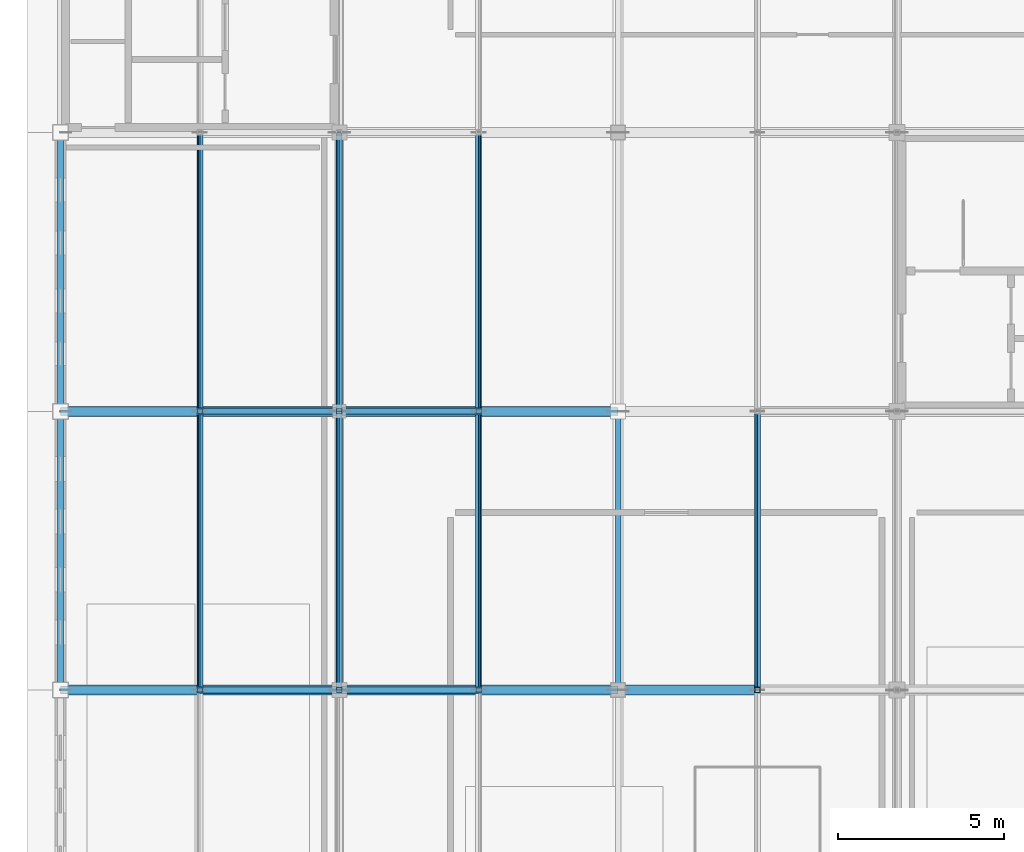
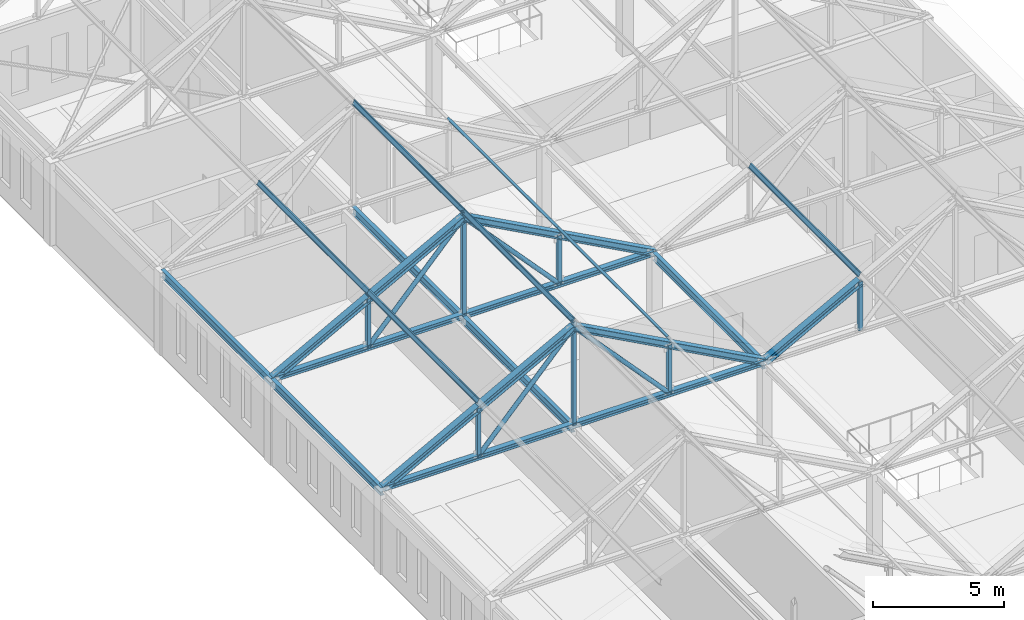
# One storey, part 9 of 36: 29 members, 5 beams.
"""IFC4 building model written with IfcOpenShell, lengths in metres."""

from ifc_helpers import new_model, si_unit, direction, frame, origin, origin_2d, place, context, subcontext, project, spatial, hollow_rectangle, hollow_circle, i_section, extrude, material, material_profile, profile_set, type_object, element, save


model = new_model("IFC4")

# Units and contexts
model_context = context("Model", 3, precision=1e-05, world=origin(), true_north=direction((0.0, 1.0)))
body_context = subcontext(model_context, "Body", "Model", "MODEL_VIEW")
ifc_project = project(units=[si_unit("LENGTHUNIT", "METRE"), si_unit("AREAUNIT", "SQUARE_METRE"), si_unit("VOLUMEUNIT", "CUBIC_METRE"), si_unit("PLANEANGLEUNIT", "RADIAN"), si_unit("MASSUNIT", "GRAM", prefix="KILO")], contexts=[model_context])

# Site, building, storey
site_placement = place(None, origin())
site = spatial("IfcSite", under=ifc_project, at=site_placement, CompositionType="ELEMENT")
building_placement = place(site_placement, origin())
building = spatial("IfcBuilding", under=site, at=building_placement, Name="Kveldsbrygga Polytechnic", CompositionType="ELEMENT")
storey_placement = place(building_placement, frame((0.0, 0.0, 26.179931640625)))
storey = spatial("IfcBuildingStorey", under=building, at=storey_placement, Name="L06", CompositionType="ELEMENT", Elevation=26.179931640625)

# Beams
ifc_material = material(Name="Steel S355", Category="steel")
ifc_material_profile_1 = material_profile(ifc_material, i_section(OverallWidth=0.169921875, OverallDepth=0.360107421875, WebThickness=0.008056640625, FlangeThickness=0.0126953125, FilletRadius=0.01806640625, at=origin_2d()), Name="IPE 360")
ifc_profile_set_1 = profile_set([ifc_material_profile_1], Name="Steel S355")
beam_type = type_object("IfcBeamType", Name="BM-STL-IPE360", PredefinedType="BEAM", material=ifc_profile_set_1)
beam_1_placement = place(storey_placement, frame((126.0, 67.199951171875, 3.66015625), z_axis=(0.0, 1.0, 0.0), x_axis=(-1.0, 0.0, 0.0)))
element("IfcBeam", 1, at=beam_1_placement, inside=storey, type_object=beam_type, Name="Attic Eaves Tie Beam BMY-L06-TOP-15-08", PredefinedType="BEAM", context=body_context, shape_type="SweptSolid", body=[
    extrude(i_section(OverallWidth=0.169921875, OverallDepth=0.360107421875, WebThickness=0.008056640625, FlangeThickness=0.0126953125, FilletRadius=0.01806640625, at=origin_2d()), origin(), (0.0, 0.0, 1.0), 8.400146484375),
])
beam_2_placement = place(storey_placement, frame((126.0, 75.60009765625, 3.66015625), z_axis=(0.0, 1.0, 0.0), x_axis=(-1.0, 0.0, 0.0)))
element("IfcBeam", 2, at=beam_2_placement, inside=storey, type_object=beam_type, Name="Attic Eaves Tie Beam BMY-L06-TOP-15-09", PredefinedType="BEAM", context=body_context, shape_type="SweptSolid", body=[
    extrude(i_section(OverallWidth=0.169921875, OverallDepth=0.360107421875, WebThickness=0.008056640625, FlangeThickness=0.0126953125, FilletRadius=0.01806640625, at=origin_2d()), origin(), (0.0, 0.0, 1.0), 8.39990234375),
])
beam_3_placement = place(storey_placement, frame((134.39990234375, 67.199951171875, 3.66015625), z_axis=(0.0, 1.0, 0.0), x_axis=(-1.0, 0.0, 0.0)))
element("IfcBeam", 3, at=beam_3_placement, inside=storey, type_object=beam_type, Name="Attic Eaves Tie Beam BMY-L06-TOP-16-08", PredefinedType="BEAM", context=body_context, shape_type="SweptSolid", body=[
    extrude(i_section(OverallWidth=0.169921875, OverallDepth=0.360107421875, WebThickness=0.008056640625, FlangeThickness=0.0126953125, FilletRadius=0.01806640625, at=origin_2d()), origin(), (0.0, 0.0, 1.0), 8.400146484375),
])
beam_4_placement = place(storey_placement, frame((134.39990234375, 75.60009765625, 3.66015625), z_axis=(0.0, 1.0, 0.0), x_axis=(-1.0, 0.0, 0.0)))
element("IfcBeam", 4, at=beam_4_placement, inside=storey, type_object=beam_type, Name="Attic Eaves Tie Beam BMY-L06-TOP-16-09", PredefinedType="BEAM", context=body_context, shape_type="SweptSolid", body=[
    extrude(i_section(OverallWidth=0.169921875, OverallDepth=0.360107421875, WebThickness=0.008056640625, FlangeThickness=0.0126953125, FilletRadius=0.01806640625, at=origin_2d()), origin(), (0.0, 0.0, 1.0), 8.39990234375),
])
beam_5_placement = place(storey_placement, frame((142.800048828125, 67.199951171875, 3.66015625), z_axis=(0.0, 1.0, 0.0), x_axis=(-1.0, 0.0, 0.0)))
element("IfcBeam", 5, at=beam_5_placement, inside=storey, type_object=beam_type, Name="Attic Eaves Tie Beam BMY-L06-TOP-17-08", PredefinedType="BEAM", context=body_context, shape_type="SweptSolid", body=[
    extrude(i_section(OverallWidth=0.169921875, OverallDepth=0.360107421875, WebThickness=0.008056640625, FlangeThickness=0.0126953125, FilletRadius=0.01806640625, at=origin_2d()), origin(), (0.0, 0.0, 1.0), 8.400146484375),
])

# Members
ifc_material_profile_2 = material_profile(ifc_material, i_section(OverallWidth=0.10009765625, OverallDepth=0.199951171875, WebThickness=0.005615234375, FlangeThickness=0.008544921875, FilletRadius=0.011962890625, at=origin_2d()), Name="IPE 200")
ifc_profile_set_2 = profile_set([ifc_material_profile_2], Name="Steel S355")
member_type_1 = type_object("IfcMemberType", Name="PRL-IPE200", PredefinedType="PURLIN", material=ifc_profile_set_2)
for number, where, z_axis, x_axis, name in (
    (6, (130.199951171875, 67.199951171875, 6.393798828125), (0.0, 1.0, 0.0), (-0.879292204483, 0.0, 0.476282709256), "Roof Purlin V4M1-PRL-7-1"),
    (7, (134.39990234375, 67.199951171875, 8.668701171875), (0.0, 1.0, 0.0), (-0.879292204483, 0.0, 0.476282709256), "Roof Purlin V4M1-PRL-7-2"),
    (8, (138.60009765625, 67.199951171875, 6.393798828125), (0.0, 1.0, 0.0), (-0.879292204483, 0.0, -0.476282709256), "Roof Purlin V4M1-PRL-7-3"),
):
    element("IfcMember", number, at=place(storey_placement, frame(where, z_axis=z_axis, x_axis=x_axis)), inside=storey, type_object=member_type_1, Name=name, PredefinedType="PURLIN", context=body_context, shape_type="SweptSolid", body=[
        extrude(i_section(OverallWidth=0.10009765625, OverallDepth=0.199951171875, WebThickness=0.005615234375, FlangeThickness=0.008544921875, FilletRadius=0.011962890625, at=origin_2d()), origin(), (0.0, 0.0, 1.0), 8.400146484375),
    ])
for number, where, z_axis, x_axis, name in (
    (9, (130.199951171875, 75.60009765625, 6.393798828125), (0.0, 1.0, 0.0), (-0.879292204483, 0.0, 0.476282709256), "Roof Purlin V4M1-PRL-8-1"),
    (10, (134.39990234375, 75.60009765625, 8.668701171875), (0.0, 1.0, 0.0), (-0.879292204483, 0.0, 0.476282709256), "Roof Purlin V4M1-PRL-8-2"),
    (11, (138.60009765625, 75.60009765625, 6.393798828125), (0.0, 1.0, 0.0), (-0.879292204483, 0.0, -0.476282709256), "Roof Purlin V4M1-PRL-8-3"),
):
    element("IfcMember", number, at=place(storey_placement, frame(where, z_axis=z_axis, x_axis=x_axis)), inside=storey, type_object=member_type_1, Name=name, PredefinedType="PURLIN", context=body_context, shape_type="SweptSolid", body=[
        extrude(i_section(OverallWidth=0.10009765625, OverallDepth=0.199951171875, WebThickness=0.005615234375, FlangeThickness=0.008544921875, FilletRadius=0.011962890625, at=origin_2d()), origin(), (0.0, 0.0, 1.0), 8.39990234375),
    ])
member_1_placement = place(storey_placement, frame((147.0, 67.199951171875, 6.393798828125), z_axis=(0.0, 1.0, 0.0), x_axis=(-0.879292204483, 0.0, 0.476282709256)))
element("IfcMember", 12, at=member_1_placement, inside=storey, type_object=member_type_1, Name="Roof Purlin V4M2-PRL-7-1", PredefinedType="PURLIN", context=body_context, shape_type="SweptSolid", body=[
    extrude(i_section(OverallWidth=0.10009765625, OverallDepth=0.199951171875, WebThickness=0.005615234375, FlangeThickness=0.008544921875, FilletRadius=0.011962890625, at=origin_2d()), origin(), (0.0, 0.0, 1.0), 8.400146484375),
])
ifc_material_profile_3 = material_profile(ifc_material, i_section(OverallWidth=0.239990234375, OverallDepth=0.22998046875, WebThickness=0.007568359375, FlangeThickness=0.011962890625, FilletRadius=0.02099609375, at=origin_2d()), Name="HEA 240")
ifc_profile_set_3 = profile_set([ifc_material_profile_3], Name="Steel S355")
member_type_2 = type_object("IfcMemberType", Name="TR-BOT-HEA240", PredefinedType="CHORD", material=ifc_profile_set_3)
for number, where, z_axis, x_axis, name in (
    (13, (126.0, 67.199951171875, 3.840087890625), (1.0, 0.0, 0.0), (0.0, 1.0, 0.0), "Truss Bottom Chord V4M1-T07-BC-1"),
    (14, (126.0, 75.60009765625, 3.840087890625), (1.0, 0.0, 0.0), (0.0, 1.0, 0.0), "Truss Bottom Chord V4M1-T08-BC-1"),
):
    element("IfcMember", number, at=place(storey_placement, frame(where, z_axis=z_axis, x_axis=x_axis)), inside=storey, type_object=member_type_2, Name=name, PredefinedType="CHORD", context=body_context, shape_type="SweptSolid", body=[
        extrude(i_section(OverallWidth=0.239990234375, OverallDepth=0.22998046875, WebThickness=0.007568359375, FlangeThickness=0.011962890625, FilletRadius=0.02099609375, at=origin_2d()), origin(), (0.0, 0.0, 1.0), 16.800048828125),
    ])
ifc_material_profile_4 = material_profile(ifc_material, hollow_circle(Radius=0.096923828125, WallThickness=0.010009765625, at=origin_2d()), Name="CHS 193.7x10.0")
ifc_profile_set_4 = profile_set([ifc_material_profile_4], Name="Steel S355")
member_type_3 = type_object("IfcMemberType", Name="TR-DIAG-CHS194", PredefinedType="BRACE", material=ifc_profile_set_4)
member_2_placement = place(storey_placement, frame((130.199951171875, 67.199951171875, 3.840087890625), z_axis=(0.678271914864, 0.0, 0.734811002576), x_axis=(0.0, 1.0, 0.0)))
element("IfcMember", 15, at=member_2_placement, inside=storey, type_object=member_type_3, Name="Truss Diagonal V4M1-T07-DG-2", PredefinedType="BRACE", context=body_context, shape_type="SweptSolid", body=[
    extrude(hollow_circle(Radius=0.096923828125, WallThickness=0.010009765625, at=origin_2d()), origin(), (0.0, 0.0, 1.0), 6.192138671875),
])
member_3_placement = place(storey_placement, frame((134.39990234375, 67.199951171875, 8.39013671875), z_axis=(0.678293202798, 0.0, -0.734791352043), x_axis=(0.0, 1.0, 0.0)))
element("IfcMember", 16, at=member_3_placement, inside=storey, type_object=member_type_3, Name="Truss Diagonal V4M1-T07-DG-3", PredefinedType="BRACE", context=body_context, shape_type="SweptSolid", body=[
    extrude(hollow_circle(Radius=0.096923828125, WallThickness=0.010009765625, at=origin_2d()), origin(), (0.0, 0.0, 1.0), 6.1923828125),
])
member_4_placement = place(storey_placement, frame((130.199951171875, 75.60009765625, 3.840087890625), z_axis=(0.678271914864, 0.0, 0.734811002576), x_axis=(0.0, 1.0, 0.0)))
element("IfcMember", 17, at=member_4_placement, inside=storey, type_object=member_type_3, Name="Truss Diagonal V4M1-T08-DG-2", PredefinedType="BRACE", context=body_context, shape_type="SweptSolid", body=[
    extrude(hollow_circle(Radius=0.096923828125, WallThickness=0.010009765625, at=origin_2d()), origin(), (0.0, 0.0, 1.0), 6.192138671875),
])
member_5_placement = place(storey_placement, frame((134.39990234375, 75.60009765625, 8.39013671875), z_axis=(0.678293202798, 0.0, -0.734791352043), x_axis=(0.0, 1.0, 0.0)))
element("IfcMember", 18, at=member_5_placement, inside=storey, type_object=member_type_3, Name="Truss Diagonal V4M1-T08-DG-3", PredefinedType="BRACE", context=body_context, shape_type="SweptSolid", body=[
    extrude(hollow_circle(Radius=0.096923828125, WallThickness=0.010009765625, at=origin_2d()), origin(), (0.0, 0.0, 1.0), 6.1923828125),
])
ifc_material_profile_5 = material_profile(ifc_material, hollow_rectangle(XDim=0.159912109375, YDim=0.159912109375, WallThickness=0.010009765625, at=origin_2d()), Name="SHS 160x160x10.0")
ifc_profile_set_5 = profile_set([ifc_material_profile_5], Name="Steel S355")
member_type_4 = type_object("IfcMemberType", Name="TR-POST-SHS160", PredefinedType="STRUT", material=ifc_profile_set_5)
member_6_placement = place(storey_placement, frame((130.199951171875, 67.199951171875, 3.840087890625), z_axis=(0.0, 0.0, 1.0), x_axis=(1.0, 0.0, 0.0)))
element("IfcMember", 19, at=member_6_placement, inside=storey, type_object=member_type_4, Name="Truss Vertical V4M1-T07-VT-1", PredefinedType="STRUT", context=body_context, shape_type="SweptSolid", body=[
    extrude(hollow_rectangle(XDim=0.159912109375, YDim=0.159912109375, WallThickness=0.010009765625, at=origin_2d()), origin(), (0.0, 0.0, 1.0), 2.27490234375),
])
member_7_placement = place(storey_placement, frame((134.39990234375, 67.199951171875, 3.840087890625), z_axis=(0.0, 0.0, 1.0), x_axis=(1.0, 0.0, 0.0)))
element("IfcMember", 20, at=member_7_placement, inside=storey, type_object=member_type_4, Name="Truss Vertical V4M1-T07-VT-2", PredefinedType="STRUT", context=body_context, shape_type="SweptSolid", body=[
    extrude(hollow_rectangle(XDim=0.159912109375, YDim=0.159912109375, WallThickness=0.010009765625, at=origin_2d()), origin(), (0.0, 0.0, 1.0), 4.82861328125),
])
for number, where, z_axis, x_axis, name in (
    (21, (138.60009765625, 67.199951171875, 3.840087890625), (0.0, 0.0, 1.0), (1.0, 0.0, 0.0), "Truss Vertical V4M1-T07-VT-3"),
    (22, (130.199951171875, 75.60009765625, 3.840087890625), (0.0, 0.0, 1.0), (1.0, 0.0, 0.0), "Truss Vertical V4M1-T08-VT-1"),
):
    element("IfcMember", number, at=place(storey_placement, frame(where, z_axis=z_axis, x_axis=x_axis)), inside=storey, type_object=member_type_4, Name=name, PredefinedType="STRUT", context=body_context, shape_type="SweptSolid", body=[
        extrude(hollow_rectangle(XDim=0.159912109375, YDim=0.159912109375, WallThickness=0.010009765625, at=origin_2d()), origin(), (0.0, 0.0, 1.0), 2.27490234375),
    ])
member_8_placement = place(storey_placement, frame((134.39990234375, 75.60009765625, 3.840087890625), z_axis=(0.0, 0.0, 1.0), x_axis=(1.0, 0.0, 0.0)))
element("IfcMember", 23, at=member_8_placement, inside=storey, type_object=member_type_4, Name="Truss Vertical V4M1-T08-VT-2", PredefinedType="STRUT", context=body_context, shape_type="SweptSolid", body=[
    extrude(hollow_rectangle(XDim=0.159912109375, YDim=0.159912109375, WallThickness=0.010009765625, at=origin_2d()), origin(), (0.0, 0.0, 1.0), 4.82861328125),
])
for number, where, z_axis, x_axis, name in (
    (24, (138.60009765625, 75.60009765625, 3.840087890625), (0.0, 0.0, 1.0), (1.0, 0.0, 0.0), "Truss Vertical V4M1-T08-VT-3"),
    (25, (147.0, 67.199951171875, 3.840087890625), (0.0, 0.0, 1.0), (1.0, 0.0, 0.0), "Truss Vertical V4M2-T07-VT-1"),
):
    element("IfcMember", number, at=place(storey_placement, frame(where, z_axis=z_axis, x_axis=x_axis)), inside=storey, type_object=member_type_4, Name=name, PredefinedType="STRUT", context=body_context, shape_type="SweptSolid", body=[
        extrude(hollow_rectangle(XDim=0.159912109375, YDim=0.159912109375, WallThickness=0.010009765625, at=origin_2d()), origin(), (0.0, 0.0, 1.0), 2.27490234375),
    ])
ifc_material_profile_6 = material_profile(ifc_material, i_section(OverallWidth=0.300048828125, OverallDepth=0.2900390625, WebThickness=0.008544921875, FlangeThickness=0.013916015625, FilletRadius=0.027099609375, at=origin_2d()), Name="HEA 300")
ifc_profile_set_6 = profile_set([ifc_material_profile_6], Name="Steel S355")
member_type_5 = type_object("IfcMemberType", Name="TR-TOP-HEA300", PredefinedType="CHORD", material=ifc_profile_set_6)
member_9_placement = place(storey_placement, frame((126.0, 67.199951171875, 3.840087890625), z_axis=(0.879298209803, 0.0, 0.47627162233), x_axis=(0.0, 1.0, 0.0)))
element("IfcMember", 26, at=member_9_placement, inside=storey, type_object=member_type_5, Name="Truss Top Chord V4M1-T07-TC-1", PredefinedType="CHORD", context=body_context, shape_type="SweptSolid", body=[
    extrude(i_section(OverallWidth=0.300048828125, OverallDepth=0.2900390625, WebThickness=0.008544921875, FlangeThickness=0.013916015625, FilletRadius=0.027099609375, at=origin_2d()), origin(), (0.0, 0.0, 1.0), 4.7763671875),
])
member_10_placement = place(storey_placement, frame((130.199951171875, 67.199951171875, 6.114990234375), z_axis=(0.879276804059, 0.0, 0.476311139744), x_axis=(0.0, 1.0, 0.0)))
element("IfcMember", 27, at=member_10_placement, inside=storey, type_object=member_type_5, Name="Truss Top Chord V4M1-T07-TC-2", PredefinedType="CHORD", context=body_context, shape_type="SweptSolid", body=[
    extrude(i_section(OverallWidth=0.300048828125, OverallDepth=0.2900390625, WebThickness=0.008544921875, FlangeThickness=0.013916015625, FilletRadius=0.027099609375, at=origin_2d()), origin(), (0.0, 0.0, 1.0), 4.776611328125),
])
member_11_placement = place(storey_placement, frame((134.39990234375, 67.199951171875, 8.39013671875), z_axis=(0.879288399135, 0.0, -0.476289734454), x_axis=(0.0, 1.0, 0.0)))
element("IfcMember", 28, at=member_11_placement, inside=storey, type_object=member_type_5, Name="Truss Top Chord V4M1-T07-TC-3", PredefinedType="CHORD", context=body_context, shape_type="SweptSolid", body=[
    extrude(i_section(OverallWidth=0.300048828125, OverallDepth=0.2900390625, WebThickness=0.008544921875, FlangeThickness=0.013916015625, FilletRadius=0.027099609375, at=origin_2d()), origin(), (0.0, 0.0, 1.0), 4.77685546875),
])
for number, where, z_axis, x_axis, name in (
    (29, (138.60009765625, 67.199951171875, 6.114990234375), (0.879298209803, 0.0, -0.47627162233), (0.0, 1.0, 0.0), "Truss Top Chord V4M1-T07-TC-4"),
    (30, (126.0, 75.60009765625, 3.840087890625), (0.879298209803, 0.0, 0.47627162233), (0.0, 1.0, 0.0), "Truss Top Chord V4M1-T08-TC-1"),
):
    element("IfcMember", number, at=place(storey_placement, frame(where, z_axis=z_axis, x_axis=x_axis)), inside=storey, type_object=member_type_5, Name=name, PredefinedType="CHORD", context=body_context, shape_type="SweptSolid", body=[
        extrude(i_section(OverallWidth=0.300048828125, OverallDepth=0.2900390625, WebThickness=0.008544921875, FlangeThickness=0.013916015625, FilletRadius=0.027099609375, at=origin_2d()), origin(), (0.0, 0.0, 1.0), 4.7763671875),
    ])
member_12_placement = place(storey_placement, frame((130.199951171875, 75.60009765625, 6.114990234375), z_axis=(0.879276804059, 0.0, 0.476311139744), x_axis=(0.0, 1.0, 0.0)))
element("IfcMember", 31, at=member_12_placement, inside=storey, type_object=member_type_5, Name="Truss Top Chord V4M1-T08-TC-2", PredefinedType="CHORD", context=body_context, shape_type="SweptSolid", body=[
    extrude(i_section(OverallWidth=0.300048828125, OverallDepth=0.2900390625, WebThickness=0.008544921875, FlangeThickness=0.013916015625, FilletRadius=0.027099609375, at=origin_2d()), origin(), (0.0, 0.0, 1.0), 4.776611328125),
])
member_13_placement = place(storey_placement, frame((134.39990234375, 75.60009765625, 8.39013671875), z_axis=(0.879288399135, 0.0, -0.476289734454), x_axis=(0.0, 1.0, 0.0)))
element("IfcMember", 32, at=member_13_placement, inside=storey, type_object=member_type_5, Name="Truss Top Chord V4M1-T08-TC-3", PredefinedType="CHORD", context=body_context, shape_type="SweptSolid", body=[
    extrude(i_section(OverallWidth=0.300048828125, OverallDepth=0.2900390625, WebThickness=0.008544921875, FlangeThickness=0.013916015625, FilletRadius=0.027099609375, at=origin_2d()), origin(), (0.0, 0.0, 1.0), 4.77685546875),
])
for number, where, z_axis, x_axis, name in (
    (33, (138.60009765625, 75.60009765625, 6.114990234375), (0.879298209803, 0.0, -0.47627162233), (0.0, 1.0, 0.0), "Truss Top Chord V4M1-T08-TC-4"),
    (34, (142.800048828125, 67.199951171875, 3.840087890625), (0.879298209803, 0.0, 0.47627162233), (0.0, 1.0, 0.0), "Truss Top Chord V4M2-T07-TC-1"),
):
    element("IfcMember", number, at=place(storey_placement, frame(where, z_axis=z_axis, x_axis=x_axis)), inside=storey, type_object=member_type_5, Name=name, PredefinedType="CHORD", context=body_context, shape_type="SweptSolid", body=[
        extrude(i_section(OverallWidth=0.300048828125, OverallDepth=0.2900390625, WebThickness=0.008544921875, FlangeThickness=0.013916015625, FilletRadius=0.027099609375, at=origin_2d()), origin(), (0.0, 0.0, 1.0), 4.7763671875),
    ])

save(model, "model.ifc")
